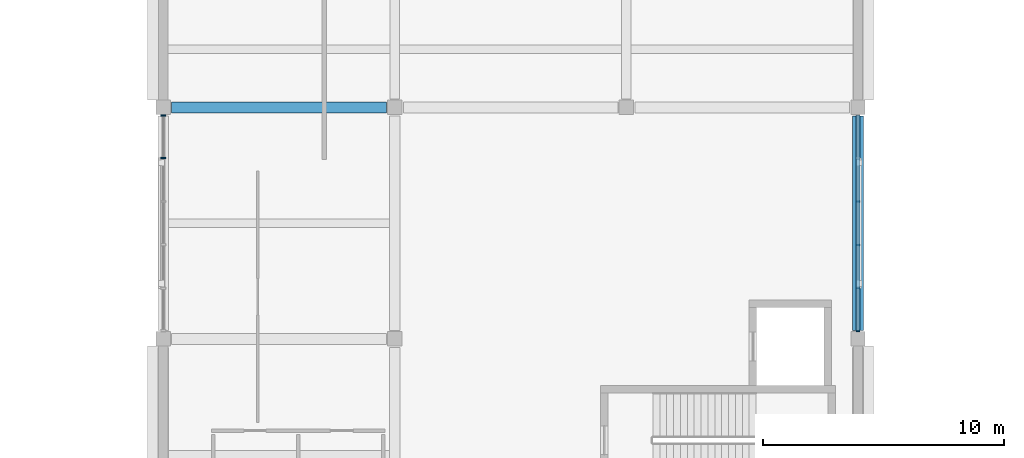
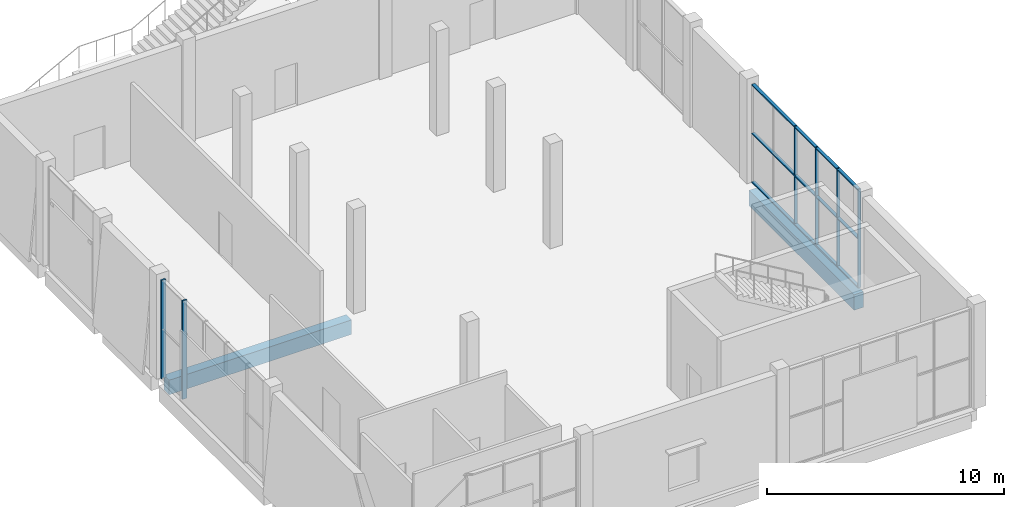
# One storey, part 16 of 83: 9 members, 2 beams, 2 elements without a shape of their own.
"""IFC4 building model written with IfcOpenShell, lengths in metres."""

from ifc_helpers import new_model, si_unit, direction, frame, origin, origin_2d, place, context, subcontext, project, spatial, rectangle, extrude, material, material_profile, profile_set, type_object, element, aggregate, save


model = new_model("IFC4")

# Units and contexts
model_context = context("Model", 3, precision=1e-05, world=origin(), true_north=direction((0.0, 1.0)))
body_context = subcontext(model_context, "Body", "Model", "MODEL_VIEW")
ifc_project = project(units=[si_unit("LENGTHUNIT", "METRE"), si_unit("AREAUNIT", "SQUARE_METRE"), si_unit("VOLUMEUNIT", "CUBIC_METRE"), si_unit("PLANEANGLEUNIT", "RADIAN"), si_unit("MASSUNIT", "GRAM", prefix="KILO")], contexts=[model_context])

# Site, building, storey
site_placement = place(None, origin())
site = spatial("IfcSite", under=ifc_project, at=site_placement, CompositionType="ELEMENT")
building_placement = place(site_placement, origin())
building = spatial("IfcBuilding", under=site, at=building_placement, Name="Shalvenor Court Art Gallery", CompositionType="ELEMENT")
storey_placement = place(building_placement, frame((0.0, 0.0, 6.0)))
storey = spatial("IfcBuildingStorey", under=building, at=storey_placement, Name="L01", CompositionType="ELEMENT", Elevation=6.0)

# Beams
ifc_material_1 = material(Name="Concrete C40/50", Category="concrete")
ifc_material_profile_1 = material_profile(ifc_material_1, rectangle(XDim=0.449951171875, YDim=0.800048828125, at=origin_2d()), Name="RC 450x800")
ifc_profile_set_1 = profile_set([ifc_material_profile_1], Name="Concrete C40/50")
beam_type_1 = type_object("IfcBeamType", Name="B-03", PredefinedType="BEAM", material=ifc_profile_set_1)
beam_1_placement = place(storey_placement, frame((124.800048828125, 9.949951171875, -0.719970703125), z_axis=(0.0, 1.0, 0.0), x_axis=(-1.0, 0.0, 0.0)))
element("IfcBeam", 1, at=beam_1_placement, inside=storey, type_object=beam_type_1, Name="L01 Girder BM-L01-B-03-0446", PredefinedType="BEAM", context=body_context, shape_type="SweptSolid", body=[
    extrude(rectangle(XDim=0.449951171875, YDim=0.800048828125, at=origin_2d()), origin(), (0.0, 0.0, 1.0), 8.900146484375),
])
ifc_material_2 = material(Name="Concrete C40/50", Category="concrete")
ifc_material_profile_2 = material_profile(ifc_material_2, rectangle(XDim=0.449951171875, YDim=0.75, at=origin_2d()), Name="RC 450x750")
ifc_profile_set_2 = profile_set([ifc_material_profile_2], Name="Concrete C40/50")
beam_type_2 = type_object("IfcBeamType", Name="B-04", PredefinedType="BEAM", material=ifc_profile_set_2)
beam_2_placement = place(storey_placement, frame((96.35009765625, 19.199951171875, -0.695068359375), z_axis=(1.0, 0.0, 0.0), x_axis=(0.0, 1.0, 0.0)))
element("IfcBeam", 2, at=beam_2_placement, inside=storey, type_object=beam_type_2, Name="L01 Girder BM-L01-B-04-0512", PredefinedType="BEAM", context=body_context, shape_type="SweptSolid", body=[
    extrude(rectangle(XDim=0.449951171875, YDim=0.75, at=origin_2d()), origin(), (0.0, 0.0, 1.0), 8.89990234375),
])

# Curtain wall, members
ifc_material_3 = material(Name="Anodised aluminium and low-iron glass curtain wall", Category="aluminium")
curtain_wall_type_1 = type_object("IfcCurtainWallType", Name="CW-5x2-90-51-412", PredefinedType="USERDEFINED", material=ifc_material_3)
curtain_wall_1_placement = place(storey_placement, origin())
curtain_wall_1 = element("IfcCurtainWall", 3, at=curtain_wall_1_placement, inside=storey, type_object=curtain_wall_type_1, Name="L01 V3 Curtain Wall CW-L01-102", ObjectType="CURTAIN WALL", PredefinedType="USERDEFINED")
ifc_material_4 = material(Name="Anodised aluminium mullion", Category="aluminium")
ifc_material_profile_3 = material_profile(ifc_material_4, rectangle(XDim=0.074951171875, YDim=0.219970703125, at=origin_2d()), Name="CWM-04")
ifc_profile_set_3 = profile_set([ifc_material_profile_3], Name="Anodised aluminium mullion")
member_type_1 = type_object("IfcMemberType", Name="CWM-04", PredefinedType="MULLION", material=ifc_profile_set_3)
member_1_placement = place(storey_placement, frame((96.0, 17.10009765625, 0.0), z_axis=(0.0, 0.0, 1.0), x_axis=(0.0, 1.0, 0.0)))
member_1 = element("IfcMember", 4, at=member_1_placement, type_object=member_type_1, Name="CW-5x2-90-51-412 mullion 5", PredefinedType="MULLION", context=body_context, shape_type="SweptSolid", body=[
    extrude(rectangle(XDim=0.074951171875, YDim=0.219970703125, at=origin_2d()), origin(), (0.0, 0.0, 1.0), 5.080078125),
])
member_2_placement = place(storey_placement, frame((96.0, 18.862548828125, 0.0), z_axis=(0.0, 0.0, 1.0), x_axis=(0.0, 1.0, 0.0)))
member_2 = element("IfcMember", 5, at=member_2_placement, type_object=member_type_1, Name="CW-5x2-90-51-412 mullion 6", PredefinedType="MULLION", context=body_context, shape_type="SweptSolid", body=[
    extrude(rectangle(XDim=0.074951171875, YDim=0.219970703125, at=origin_2d()), origin(), (0.0, 0.0, 1.0), 5.080078125),
])
aggregate(curtain_wall_1, [member_1, member_2])

ifc_material_5 = material(Name="Anodised aluminium and low-iron glass curtain wall", Category="aluminium")
curtain_wall_type_2 = type_object("IfcCurtainWallType", Name="CW-5x2-90-51-612", PredefinedType="USERDEFINED", material=ifc_material_5)
curtain_wall_2_placement = place(storey_placement, origin())
curtain_wall_2 = element("IfcCurtainWall", 6, at=curtain_wall_2_placement, inside=storey, type_object=curtain_wall_type_2, Name="L01 V3 Curtain Wall CW-L01-099", ObjectType="CURTAIN WALL", PredefinedType="USERDEFINED")
ifc_material_6 = material(Name="Anodised aluminium mullion", Category="aluminium")
ifc_material_profile_4 = material_profile(ifc_material_6, rectangle(XDim=0.054931640625, YDim=0.139892578125, at=origin_2d()), Name="CWM-06")
ifc_profile_set_4 = profile_set([ifc_material_profile_4], Name="Anodised aluminium mullion")
member_type_2 = type_object("IfcMemberType", Name="CWM-06", PredefinedType="MULLION", material=ifc_profile_set_4)
member_3_placement = place(storey_placement, frame((124.800048828125, 15.300048828125, 0.0), z_axis=(0.0, 0.0, 1.0), x_axis=(0.0, -1.0, 0.0)))
member_3 = element("IfcMember", 7, at=member_3_placement, type_object=member_type_2, Name="CW-5x2-90-51-612 mullion 3", PredefinedType="MULLION", context=body_context, shape_type="SweptSolid", body=[
    extrude(rectangle(XDim=0.054931640625, YDim=0.139892578125, at=origin_2d()), origin(), (0.0, 0.0, 1.0), 5.080078125),
])
member_4_placement = place(storey_placement, frame((124.800048828125, 13.5, 0.0), z_axis=(0.0, 0.0, 1.0), x_axis=(0.0, -1.0, 0.0)))
member_4 = element("IfcMember", 8, at=member_4_placement, type_object=member_type_2, Name="CW-5x2-90-51-612 mullion 4", PredefinedType="MULLION", context=body_context, shape_type="SweptSolid", body=[
    extrude(rectangle(XDim=0.054931640625, YDim=0.139892578125, at=origin_2d()), origin(), (0.0, 0.0, 1.0), 5.080078125),
])
member_5_placement = place(storey_placement, frame((124.800048828125, 11.699951171875, 0.0), z_axis=(0.0, 0.0, 1.0), x_axis=(0.0, -1.0, 0.0)))
member_5 = element("IfcMember", 9, at=member_5_placement, type_object=member_type_2, Name="CW-5x2-90-51-612 mullion 5", PredefinedType="MULLION", context=body_context, shape_type="SweptSolid", body=[
    extrude(rectangle(XDim=0.054931640625, YDim=0.139892578125, at=origin_2d()), origin(), (0.0, 0.0, 1.0), 5.080078125),
])
member_6_placement = place(storey_placement, frame((124.800048828125, 9.927490234375, 0.0), z_axis=(0.0, 0.0, 1.0), x_axis=(0.0, -1.0, 0.0)))
member_6 = element("IfcMember", 10, at=member_6_placement, type_object=member_type_2, Name="CW-5x2-90-51-612 mullion 6", PredefinedType="MULLION", context=body_context, shape_type="SweptSolid", body=[
    extrude(rectangle(XDim=0.054931640625, YDim=0.139892578125, at=origin_2d()), origin(), (0.0, 0.0, 1.0), 5.080078125),
])
ifc_material_7 = material(Name="Anodised aluminium transom", Category="aluminium")
ifc_material_profile_5 = material_profile(ifc_material_7, rectangle(XDim=0.14990234375, YDim=0.06005859375, at=origin_2d()), Name="CWT-01")
ifc_profile_set_5 = profile_set([ifc_material_profile_5], Name="Anodised aluminium transom")
member_type_3 = type_object("IfcMemberType", Name="CWT-01", PredefinedType="USERDEFINED", material=ifc_profile_set_5)
member_7_placement = place(storey_placement, frame((124.800048828125, 18.87255859375, 0.030029296875), z_axis=(0.0, -1.0, 0.0), x_axis=(1.0, 0.0, 0.0)))
member_7 = element("IfcMember", 11, at=member_7_placement, type_object=member_type_3, Name="CW-5x2-90-51-612 transom 1", ObjectType="TRANSOM", PredefinedType="USERDEFINED", context=body_context, shape_type="SweptSolid", body=[
    extrude(rectangle(XDim=0.14990234375, YDim=0.06005859375, at=origin_2d()), origin(), (0.0, 0.0, 1.0), 8.945068359375),
])
member_8_placement = place(storey_placement, frame((124.800048828125, 18.87255859375, 2.5400390625), z_axis=(0.0, -1.0, 0.0), x_axis=(1.0, 0.0, 0.0)))
member_8 = element("IfcMember", 12, at=member_8_placement, type_object=member_type_3, Name="CW-5x2-90-51-612 transom 2", ObjectType="TRANSOM", PredefinedType="USERDEFINED", context=body_context, shape_type="SweptSolid", body=[
    extrude(rectangle(XDim=0.14990234375, YDim=0.06005859375, at=origin_2d()), origin(), (0.0, 0.0, 1.0), 8.945068359375),
])
member_9_placement = place(storey_placement, frame((124.800048828125, 18.87255859375, 5.050048828125), z_axis=(0.0, -1.0, 0.0), x_axis=(1.0, 0.0, 0.0)))
member_9 = element("IfcMember", 13, at=member_9_placement, type_object=member_type_3, Name="CW-5x2-90-51-612 transom 3", ObjectType="TRANSOM", PredefinedType="USERDEFINED", context=body_context, shape_type="SweptSolid", body=[
    extrude(rectangle(XDim=0.14990234375, YDim=0.06005859375, at=origin_2d()), origin(), (0.0, 0.0, 1.0), 8.945068359375),
])
aggregate(curtain_wall_2, [member_3, member_4, member_5, member_6, member_7, member_8, member_9])

save(model, "model.ifc")
